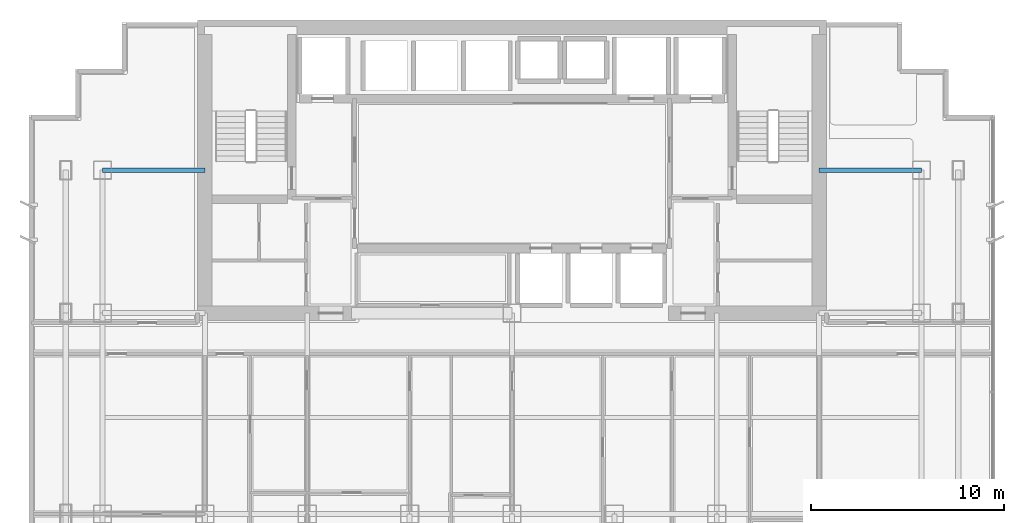
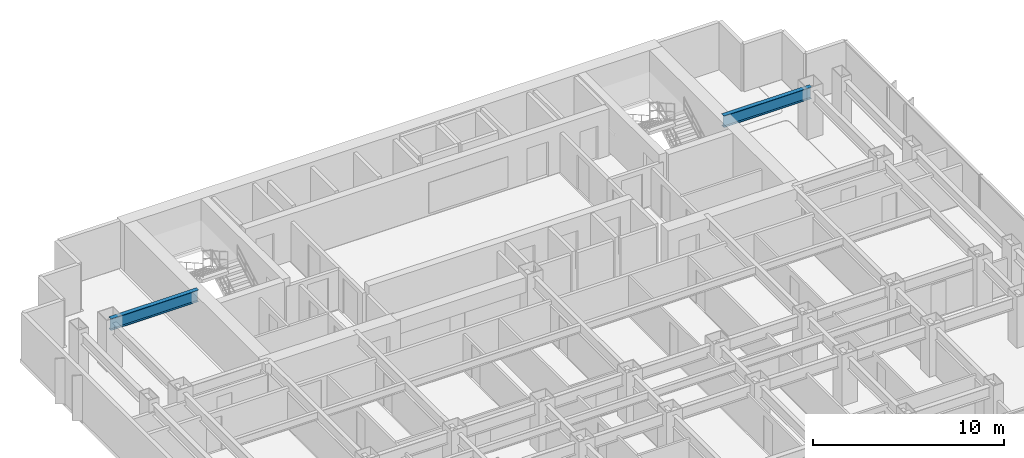
# One storey, part 4 of 11: 2 beams.
"""IFC4 building model written with IfcOpenShell, lengths in metres."""

from ifc_helpers import new_model, si_unit, direction, frame, origin, origin_2d, place, context, subcontext, project, spatial, i_section, extrude, material, material_profile, profile_set, type_object, element, save


model = new_model("IFC4")

# Units and contexts
model_context = context("Model", 3, precision=1e-05, world=origin(), true_north=direction((0.0, 1.0)))
body_context = subcontext(model_context, "Body", "Model", "MODEL_VIEW")
ifc_project = project(units=[si_unit("LENGTHUNIT", "METRE"), si_unit("AREAUNIT", "SQUARE_METRE"), si_unit("VOLUMEUNIT", "CUBIC_METRE"), si_unit("PLANEANGLEUNIT", "RADIAN"), si_unit("MASSUNIT", "GRAM", prefix="KILO")], contexts=[model_context])

# Site, building, storey
site_placement = place(None, origin())
site = spatial("IfcSite", under=ifc_project, at=site_placement, CompositionType="ELEMENT")
building_placement = place(site_placement, origin())
building = spatial("IfcBuilding", under=site, at=building_placement, Name="Qianlan Lanfeng Residences", CompositionType="ELEMENT")
storey_placement = place(building_placement, frame((0.0, 0.0, 124.60009765625)))
storey = spatial("IfcBuildingStorey", under=building, at=storey_placement, Name="L34", CompositionType="ELEMENT", Elevation=124.60009765625)

# Beams
ifc_material = material(Name="Steel SN490B", Category="steel")
ifc_material_profile = material_profile(ifc_material, i_section(OverallWidth=0.25, OverallDepth=0.75, WebThickness=0.013916015625, FlangeThickness=0.02490234375, at=origin_2d()), Name="H 750x250x14x25")
ifc_profile_set = profile_set([ifc_material_profile], Name="Steel SN490B")
beam_type = type_object("IfcBeamType", Name="G-850", PredefinedType="BEAM", material=ifc_profile_set)
for number, where, z_axis, x_axis, name in (
    (1, (5.300048828125, 32.60009765625, 2.65478515625), (1.0, 0.0, 0.0), (0.0, 1.0, 0.0), "Structural beam G-850"),
    (2, (42.39990234375, 32.60009765625, 2.65478515625), (1.0, 0.0, 0.0), (0.0, 1.0, 0.0), "Structural beam G-850"),
):
    element("IfcBeam", number, at=place(storey_placement, frame(where, z_axis=z_axis, x_axis=x_axis)), inside=storey, type_object=beam_type, Name=name, PredefinedType="BEAM", context=body_context, shape_type="SweptSolid", body=[
        extrude(i_section(OverallWidth=0.25, OverallDepth=0.75, WebThickness=0.013916015625, FlangeThickness=0.02490234375, at=origin_2d()), origin(), (0.0, 0.0, 1.0), 5.300048828125),
    ])

save(model, "model.ifc")
